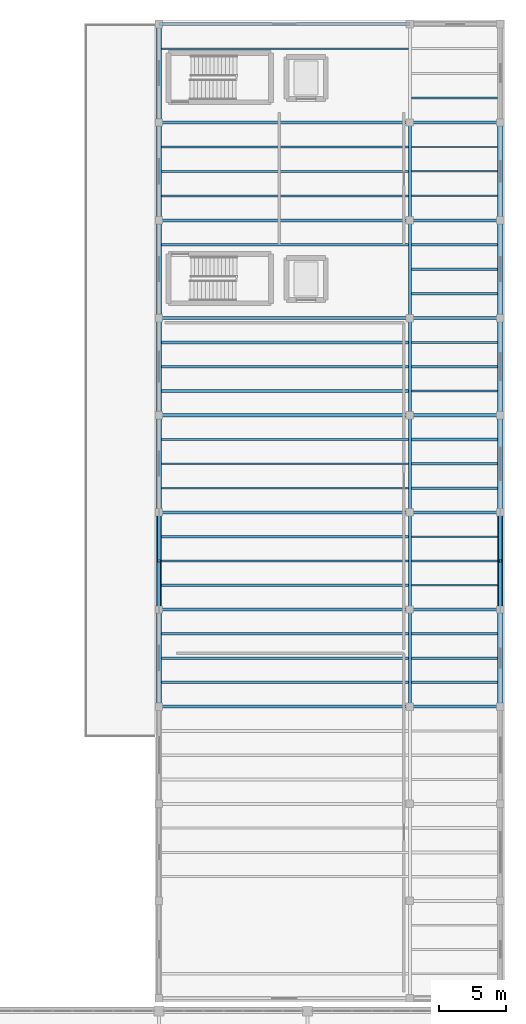
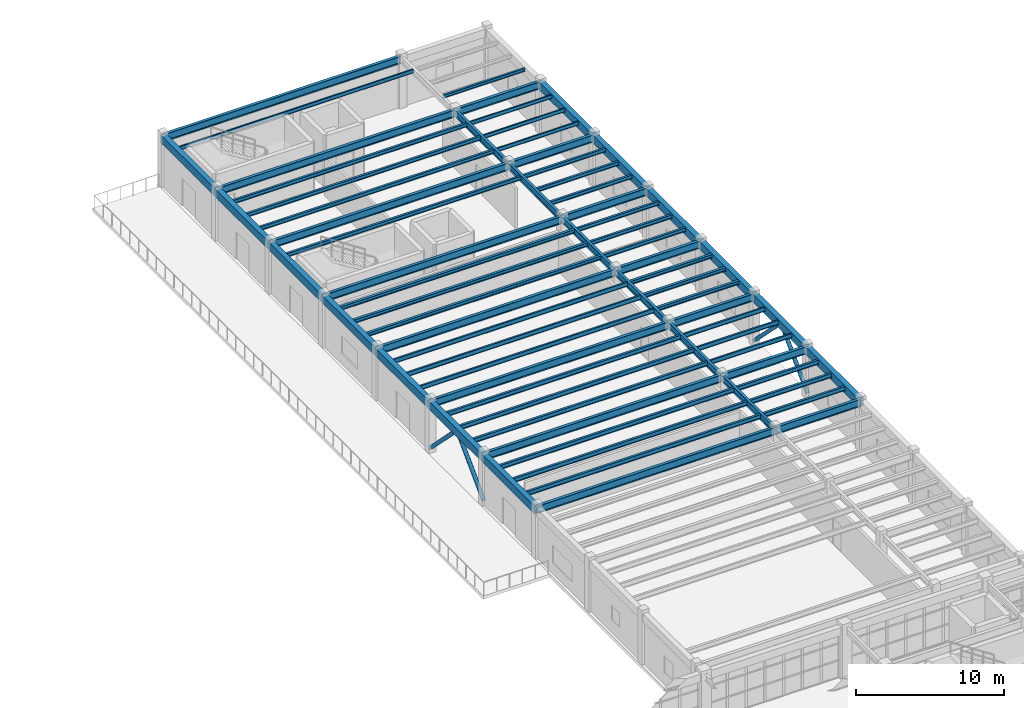
# One storey, part 47 of 85: 70 beams, 4 members.
"""IFC4 building model written with IfcOpenShell, lengths in metres."""

from ifc_helpers import new_model, si_unit, direction, frame, origin, origin_2d, place, context, subcontext, project, spatial, rectangle, hollow_circle, i_section, extrude, material, material_profile, profile_set, type_object, element, save


model = new_model("IFC4")

# Units and contexts
model_context = context("Model", 3, precision=1e-05, world=origin(), true_north=direction((0.0, 1.0)))
body_context = subcontext(model_context, "Body", "Model", "MODEL_VIEW")
ifc_project = project(units=[si_unit("LENGTHUNIT", "METRE"), si_unit("AREAUNIT", "SQUARE_METRE"), si_unit("VOLUMEUNIT", "CUBIC_METRE"), si_unit("PLANEANGLEUNIT", "RADIAN"), si_unit("MASSUNIT", "GRAM", prefix="KILO")], contexts=[model_context])

# Site, building, storey
site_placement = place(None, origin())
site = spatial("IfcSite", under=ifc_project, at=site_placement, CompositionType="ELEMENT")
building_placement = place(site_placement, origin())
building = spatial("IfcBuilding", under=site, at=building_placement, Name="Candilejo Ridge Gondola Terminal", CompositionType="ELEMENT")
storey_placement = place(building_placement, frame((0.0, 0.0, 4.5)))
storey = spatial("IfcBuildingStorey", under=building, at=storey_placement, Name="L01", CompositionType="ELEMENT", Elevation=4.5)

# Beams
ifc_material_1 = material(Name="Steel ASTM A992 Grade 50", Category="steel")
ifc_material_profile_1 = material_profile(ifc_material_1, i_section(OverallWidth=0.208984375, OverallDepth=0.532958984375, WebThickness=0.01025390625, FlangeThickness=0.015625, at=origin_2d()))
ifc_profile_set_1 = profile_set([ifc_material_profile_1], Name="Steel ASTM A992 Grade 50")
beam_type_1 = type_object("IfcBeamType", Name="STR-BM-W530X92", PredefinedType="BEAM", material=ifc_profile_set_1)
for number, where, z_axis, x_axis, name in (
    (1, (168.60009765625, 70.25, 3.948486328125), (0.0, 1.0, 0.0), (-1.0, 0.0, 0.0), "Beam Y V5 L01 Y13-Y14@X25"),
    (2, (168.60009765625, 77.449951171875, 3.948486328125), (0.0, 1.0, 0.0), (-1.0, 0.0, 0.0), "Beam Y V5 L01 Y14-Y15@X25"),
):
    element("IfcBeam", number, at=place(storey_placement, frame(where, z_axis=z_axis, x_axis=x_axis)), inside=storey, type_object=beam_type_1, Name=name, PredefinedType="BEAM", context=body_context, shape_type="SweptSolid", body=[
        extrude(i_section(OverallWidth=0.208984375, OverallDepth=0.532958984375, WebThickness=0.01025390625, FlangeThickness=0.015625, at=origin_2d()), origin(), (0.0, 0.0, 1.0), 7.199951171875),
    ])
beam_1_placement = place(storey_placement, frame((168.60009765625, 84.64990234375, 3.948486328125), z_axis=(0.0, 1.0, 0.0), x_axis=(-1.0, 0.0, 0.0)))
element("IfcBeam", 3, at=beam_1_placement, inside=storey, type_object=beam_type_1, Name="Beam Y V5 L01 Y15-Y16@X25", PredefinedType="BEAM", context=body_context, shape_type="SweptSolid", body=[
    extrude(i_section(OverallWidth=0.208984375, OverallDepth=0.532958984375, WebThickness=0.01025390625, FlangeThickness=0.015625, at=origin_2d()), origin(), (0.0, 0.0, 1.0), 7.2001953125),
])
beam_2_placement = place(storey_placement, frame((168.60009765625, 91.85009765625, 3.948486328125), z_axis=(0.0, 1.0, 0.0), x_axis=(-1.0, 0.0, 0.0)))
element("IfcBeam", 4, at=beam_2_placement, inside=storey, type_object=beam_type_1, Name="Beam Y V5 L01 Y16-Y17@X25", PredefinedType="BEAM", context=body_context, shape_type="SweptSolid", body=[
    extrude(i_section(OverallWidth=0.208984375, OverallDepth=0.532958984375, WebThickness=0.01025390625, FlangeThickness=0.015625, at=origin_2d()), origin(), (0.0, 0.0, 1.0), 7.199951171875),
])
for number, where, z_axis, x_axis, name in (
    (5, (168.60009765625, 99.050048828125, 3.948486328125), (0.0, 1.0, 0.0), (-1.0, 0.0, 0.0), "Beam Y V5 L01 Y17-Y18@X25"),
    (6, (168.60009765625, 106.300048828125, 3.948486328125), (0.0, 1.0, 0.0), (-1.0, 0.0, 0.0), "Beam Y V5 L01 Y18-Y19@X25"),
):
    element("IfcBeam", number, at=place(storey_placement, frame(where, z_axis=z_axis, x_axis=x_axis)), inside=storey, type_object=beam_type_1, Name=name, PredefinedType="BEAM", context=body_context, shape_type="SweptSolid", body=[
        extrude(i_section(OverallWidth=0.208984375, OverallDepth=0.532958984375, WebThickness=0.01025390625, FlangeThickness=0.015625, at=origin_2d()), origin(), (0.0, 0.0, 1.0), 7.25),
    ])
ifc_material_2 = material(Name="Steel ASTM A992 Grade 50", Category="steel")
ifc_material_profile_2 = material_profile(ifc_material_2, i_section(OverallWidth=0.22900390625, OverallDepth=0.612060546875, WebThickness=0.011962890625, FlangeThickness=0.01953125, at=origin_2d()))
ifc_profile_set_2 = profile_set([ifc_material_profile_2], Name="Steel ASTM A992 Grade 50")
beam_type_2 = type_object("IfcBeamType", Name="STR-BM-W610X125", PredefinedType="BEAM", material=ifc_profile_set_2)
beam_3_placement = place(storey_placement, frame((150.0, 70.25, 3.908935546875), z_axis=(1.0, 0.0, 0.0), x_axis=(0.0, 1.0, 0.0)))
element("IfcBeam", 7, at=beam_3_placement, inside=storey, type_object=beam_type_2, Name="Beam X V5 L01 X23-X25@Y13", PredefinedType="BEAM", context=body_context, shape_type="SweptSolid", body=[
    extrude(i_section(OverallWidth=0.22900390625, OverallDepth=0.612060546875, WebThickness=0.011962890625, FlangeThickness=0.01953125, at=origin_2d()), origin(), (0.0, 0.0, 1.0), 18.60009765625),
])
beam_4_placement = place(storey_placement, frame((168.60009765625, 70.25, 3.908935546875), z_axis=(1.0, 0.0, 0.0), x_axis=(0.0, 1.0, 0.0)))
element("IfcBeam", 8, at=beam_4_placement, inside=storey, type_object=beam_type_2, Name="Beam X V5 L01 X25-X27@Y13", PredefinedType="BEAM", context=body_context, shape_type="SweptSolid", body=[
    extrude(i_section(OverallWidth=0.22900390625, OverallDepth=0.612060546875, WebThickness=0.011962890625, FlangeThickness=0.01953125, at=origin_2d()), origin(), (0.0, 0.0, 1.0), 6.699951171875),
])
beam_5_placement = place(storey_placement, frame((150.0, 77.449951171875, 3.908935546875), z_axis=(1.0, 0.0, 0.0), x_axis=(0.0, 1.0, 0.0)))
element("IfcBeam", 9, at=beam_5_placement, inside=storey, type_object=beam_type_2, Name="Beam X V5 L01 X23-X25@Y14", PredefinedType="BEAM", context=body_context, shape_type="SweptSolid", body=[
    extrude(i_section(OverallWidth=0.22900390625, OverallDepth=0.612060546875, WebThickness=0.011962890625, FlangeThickness=0.01953125, at=origin_2d()), origin(), (0.0, 0.0, 1.0), 18.60009765625),
])
beam_6_placement = place(storey_placement, frame((168.60009765625, 77.449951171875, 3.908935546875), z_axis=(1.0, 0.0, 0.0), x_axis=(0.0, 1.0, 0.0)))
element("IfcBeam", 10, at=beam_6_placement, inside=storey, type_object=beam_type_2, Name="Beam X V5 L01 X25-X27@Y14", PredefinedType="BEAM", context=body_context, shape_type="SweptSolid", body=[
    extrude(i_section(OverallWidth=0.22900390625, OverallDepth=0.612060546875, WebThickness=0.011962890625, FlangeThickness=0.01953125, at=origin_2d()), origin(), (0.0, 0.0, 1.0), 6.699951171875),
])
beam_7_placement = place(storey_placement, frame((150.0, 84.64990234375, 3.908935546875), z_axis=(1.0, 0.0, 0.0), x_axis=(0.0, 1.0, 0.0)))
element("IfcBeam", 11, at=beam_7_placement, inside=storey, type_object=beam_type_2, Name="Beam X V5 L01 X23-X25@Y15", PredefinedType="BEAM", context=body_context, shape_type="SweptSolid", body=[
    extrude(i_section(OverallWidth=0.22900390625, OverallDepth=0.612060546875, WebThickness=0.011962890625, FlangeThickness=0.01953125, at=origin_2d()), origin(), (0.0, 0.0, 1.0), 18.60009765625),
])
beam_8_placement = place(storey_placement, frame((168.60009765625, 84.64990234375, 3.908935546875), z_axis=(1.0, 0.0, 0.0), x_axis=(0.0, 1.0, 0.0)))
element("IfcBeam", 12, at=beam_8_placement, inside=storey, type_object=beam_type_2, Name="Beam X V5 L01 X25-X27@Y15", PredefinedType="BEAM", context=body_context, shape_type="SweptSolid", body=[
    extrude(i_section(OverallWidth=0.22900390625, OverallDepth=0.612060546875, WebThickness=0.011962890625, FlangeThickness=0.01953125, at=origin_2d()), origin(), (0.0, 0.0, 1.0), 6.699951171875),
])
beam_9_placement = place(storey_placement, frame((150.0, 91.85009765625, 3.908935546875), z_axis=(1.0, 0.0, 0.0), x_axis=(0.0, 1.0, 0.0)))
element("IfcBeam", 13, at=beam_9_placement, inside=storey, type_object=beam_type_2, Name="Beam X V5 L01 X23-X25@Y16", PredefinedType="BEAM", context=body_context, shape_type="SweptSolid", body=[
    extrude(i_section(OverallWidth=0.22900390625, OverallDepth=0.612060546875, WebThickness=0.011962890625, FlangeThickness=0.01953125, at=origin_2d()), origin(), (0.0, 0.0, 1.0), 18.60009765625),
])
beam_10_placement = place(storey_placement, frame((168.60009765625, 91.85009765625, 3.908935546875), z_axis=(1.0, 0.0, 0.0), x_axis=(0.0, 1.0, 0.0)))
element("IfcBeam", 14, at=beam_10_placement, inside=storey, type_object=beam_type_2, Name="Beam X V5 L01 X25-X27@Y16", PredefinedType="BEAM", context=body_context, shape_type="SweptSolid", body=[
    extrude(i_section(OverallWidth=0.22900390625, OverallDepth=0.612060546875, WebThickness=0.011962890625, FlangeThickness=0.01953125, at=origin_2d()), origin(), (0.0, 0.0, 1.0), 6.699951171875),
])
beam_11_placement = place(storey_placement, frame((150.0, 99.050048828125, 3.908935546875), z_axis=(1.0, 0.0, 0.0), x_axis=(0.0, 1.0, 0.0)))
element("IfcBeam", 15, at=beam_11_placement, inside=storey, type_object=beam_type_2, Name="Beam X V5 L01 X23-X25@Y17", PredefinedType="BEAM", context=body_context, shape_type="SweptSolid", body=[
    extrude(i_section(OverallWidth=0.22900390625, OverallDepth=0.612060546875, WebThickness=0.011962890625, FlangeThickness=0.01953125, at=origin_2d()), origin(), (0.0, 0.0, 1.0), 18.60009765625),
])
beam_12_placement = place(storey_placement, frame((168.60009765625, 99.050048828125, 3.908935546875), z_axis=(1.0, 0.0, 0.0), x_axis=(0.0, 1.0, 0.0)))
element("IfcBeam", 16, at=beam_12_placement, inside=storey, type_object=beam_type_2, Name="Beam X V5 L01 X25-X27@Y17", PredefinedType="BEAM", context=body_context, shape_type="SweptSolid", body=[
    extrude(i_section(OverallWidth=0.22900390625, OverallDepth=0.612060546875, WebThickness=0.011962890625, FlangeThickness=0.01953125, at=origin_2d()), origin(), (0.0, 0.0, 1.0), 6.699951171875),
])
beam_13_placement = place(storey_placement, frame((150.0, 106.300048828125, 3.908935546875), z_axis=(1.0, 0.0, 0.0), x_axis=(0.0, 1.0, 0.0)))
element("IfcBeam", 17, at=beam_13_placement, inside=storey, type_object=beam_type_2, Name="Beam X V5 L01 X23-X25@Y18", PredefinedType="BEAM", context=body_context, shape_type="SweptSolid", body=[
    extrude(i_section(OverallWidth=0.22900390625, OverallDepth=0.612060546875, WebThickness=0.011962890625, FlangeThickness=0.01953125, at=origin_2d()), origin(), (0.0, 0.0, 1.0), 18.60009765625),
])
beam_14_placement = place(storey_placement, frame((168.60009765625, 106.300048828125, 3.908935546875), z_axis=(1.0, 0.0, 0.0), x_axis=(0.0, 1.0, 0.0)))
element("IfcBeam", 18, at=beam_14_placement, inside=storey, type_object=beam_type_2, Name="Beam X V5 L01 X25-X27@Y18", PredefinedType="BEAM", context=body_context, shape_type="SweptSolid", body=[
    extrude(i_section(OverallWidth=0.22900390625, OverallDepth=0.612060546875, WebThickness=0.011962890625, FlangeThickness=0.01953125, at=origin_2d()), origin(), (0.0, 0.0, 1.0), 6.699951171875),
])
beam_15_placement = place(storey_placement, frame((150.0, 113.550048828125, 3.908935546875), z_axis=(1.0, 0.0, 0.0), x_axis=(0.0, 1.0, 0.0)))
element("IfcBeam", 19, at=beam_15_placement, inside=storey, type_object=beam_type_2, Name="Beam X V5 L01 X23-X25@Y19", PredefinedType="BEAM", context=body_context, shape_type="SweptSolid", body=[
    extrude(i_section(OverallWidth=0.22900390625, OverallDepth=0.612060546875, WebThickness=0.011962890625, FlangeThickness=0.01953125, at=origin_2d()), origin(), (0.0, 0.0, 1.0), 18.60009765625),
])
beam_16_placement = place(storey_placement, frame((168.60009765625, 113.550048828125, 3.908935546875), z_axis=(1.0, 0.0, 0.0), x_axis=(0.0, 1.0, 0.0)))
element("IfcBeam", 20, at=beam_16_placement, inside=storey, type_object=beam_type_2, Name="Beam X V5 L01 X25-X27@Y19", PredefinedType="BEAM", context=body_context, shape_type="SweptSolid", body=[
    extrude(i_section(OverallWidth=0.22900390625, OverallDepth=0.612060546875, WebThickness=0.011962890625, FlangeThickness=0.01953125, at=origin_2d()), origin(), (0.0, 0.0, 1.0), 6.699951171875),
])
beam_17_placement = place(storey_placement, frame((150.0, 120.85009765625, 3.908935546875), z_axis=(1.0, 0.0, 0.0), x_axis=(0.0, 1.0, 0.0)))
element("IfcBeam", 21, at=beam_17_placement, inside=storey, type_object=beam_type_2, Name="Beam X V5 L01 X23-X25@Y20", PredefinedType="BEAM", context=body_context, shape_type="SweptSolid", body=[
    extrude(i_section(OverallWidth=0.22900390625, OverallDepth=0.612060546875, WebThickness=0.011962890625, FlangeThickness=0.01953125, at=origin_2d()), origin(), (0.0, 0.0, 1.0), 18.60009765625),
])

# Members
ifc_material_3 = material(Name="Steel ASTM A500 Grade C", Category="steel")
ifc_material_profile_3 = material_profile(ifc_material_3, hollow_circle(Radius=0.149169921875, WallThickness=0.009521484375, at=origin_2d()))
ifc_profile_set_3 = profile_set([ifc_material_profile_3], Name="Steel ASTM A500 Grade C")
member_type = type_object("IfcMemberType", Name="STR-BRC-CHS298", PredefinedType="BRACE", material=ifc_profile_set_3)
member_1_placement = place(storey_placement, frame((150.0, 77.449951171875, 0.25), z_axis=(0.0, 0.703209515345, 0.710982684408), x_axis=(-1.0, 0.0, 0.0)))
element("IfcMember", 22, at=member_1_placement, inside=storey, type_object=member_type, Name="Chevron brace V5 L01-07A", PredefinedType="BRACE", context=body_context, shape_type="SweptSolid", body=[
    extrude(hollow_circle(Radius=0.149169921875, WallThickness=0.009521484375, at=origin_2d()), origin(), (0.0, 0.0, 1.0), 5.11962890625),
])
member_2_placement = place(storey_placement, frame((150.0, 84.64990234375, 0.25), z_axis=(0.0, -0.703185407944, 0.711006527435), x_axis=(1.0, 0.0, 0.0)))
element("IfcMember", 23, at=member_2_placement, inside=storey, type_object=member_type, Name="Chevron brace V5 L01-07B", PredefinedType="BRACE", context=body_context, shape_type="SweptSolid", body=[
    extrude(hollow_circle(Radius=0.149169921875, WallThickness=0.009521484375, at=origin_2d()), origin(), (0.0, 0.0, 1.0), 5.119384765625),
])
member_3_placement = place(storey_placement, frame((175.300048828125, 77.449951171875, 0.25), z_axis=(0.0, 0.703209515345, 0.710982684408), x_axis=(-1.0, 0.0, 0.0)))
element("IfcMember", 24, at=member_3_placement, inside=storey, type_object=member_type, Name="Chevron brace V5 L01-10A", PredefinedType="BRACE", context=body_context, shape_type="SweptSolid", body=[
    extrude(hollow_circle(Radius=0.149169921875, WallThickness=0.009521484375, at=origin_2d()), origin(), (0.0, 0.0, 1.0), 5.11962890625),
])
member_4_placement = place(storey_placement, frame((175.300048828125, 84.64990234375, 0.25), z_axis=(0.0, -0.703185407944, 0.711006527435), x_axis=(1.0, 0.0, 0.0)))
element("IfcMember", 25, at=member_4_placement, inside=storey, type_object=member_type, Name="Chevron brace V5 L01-10B", PredefinedType="BRACE", context=body_context, shape_type="SweptSolid", body=[
    extrude(hollow_circle(Radius=0.149169921875, WallThickness=0.009521484375, at=origin_2d()), origin(), (0.0, 0.0, 1.0), 5.119384765625),
])

# Beams
ifc_material_4 = material(Name="Steel ASTM A992 Grade 50", Category="steel")
ifc_material_profile_4 = material_profile(ifc_material_4, i_section(OverallWidth=0.14794921875, OverallDepth=0.26611328125, WebThickness=0.007568359375, FlangeThickness=0.012939453125, at=origin_2d()))
ifc_profile_set_4 = profile_set([ifc_material_profile_4], Name="Steel ASTM A992 Grade 50")
beam_type_3 = type_object("IfcBeamType", Name="STR-JST-W250X45", PredefinedType="JOIST", material=ifc_profile_set_4)
beam_18_placement = place(storey_placement, frame((168.70458984375, 115.375, 4.08203125), z_axis=(1.0, 0.0, 0.0), x_axis=(0.0, 1.0, 0.0)))
element("IfcBeam", 26, at=beam_18_placement, inside=storey, type_object=beam_type_3, Name="Composite joist V5 L01-1251", PredefinedType="JOIST", context=body_context, shape_type="SweptSolid", body=[
    extrude(i_section(OverallWidth=0.14794921875, OverallDepth=0.26611328125, WebThickness=0.007568359375, FlangeThickness=0.012939453125, at=origin_2d()), origin(), (0.0, 0.0, 1.0), 6.3955078125),
])
ifc_material_5 = material(Name="Steel ASTM A992 Grade 50", Category="steel")
ifc_material_profile_5 = material_profile(ifc_material_5, i_section(OverallWidth=0.10205078125, OverallDepth=0.31298828125, WebThickness=0.006591796875, FlangeThickness=0.0107421875, at=origin_2d()))
ifc_profile_set_5 = profile_set([ifc_material_profile_5], Name="Steel ASTM A992 Grade 50")
beam_type_4 = type_object("IfcBeamType", Name="STR-JST-W310X33", PredefinedType="JOIST", material=ifc_profile_set_5)
beam_19_placement = place(storey_placement, frame((150.199951171875, 119.02490234375, 4.05859375), z_axis=(1.0, 0.0, 0.0), x_axis=(0.0, 1.0, 0.0)))
element("IfcBeam", 27, at=beam_19_placement, inside=storey, type_object=beam_type_4, Name="Composite joist V5 L01-1223", PredefinedType="JOIST", context=body_context, shape_type="SweptSolid", body=[
    extrude(i_section(OverallWidth=0.10205078125, OverallDepth=0.31298828125, WebThickness=0.006591796875, FlangeThickness=0.0107421875, at=origin_2d()), origin(), (0.0, 0.0, 1.0), 18.295654296875),
])
for number, where, z_axis, x_axis, name in (
    (28, (168.70458984375, 108.112548828125, 4.05859375), (1.0, 0.0, 0.0), (0.0, 1.0, 0.0), "Composite joist V5 L01-1248"),
    (29, (168.70458984375, 109.925048828125, 4.05859375), (1.0, 0.0, 0.0), (0.0, 1.0, 0.0), "Composite joist V5 L01-1249"),
    (30, (168.70458984375, 111.737548828125, 4.05859375), (1.0, 0.0, 0.0), (0.0, 1.0, 0.0), "Composite joist V5 L01-1250"),
):
    element("IfcBeam", number, at=place(storey_placement, frame(where, z_axis=z_axis, x_axis=x_axis)), inside=storey, type_object=beam_type_4, Name=name, PredefinedType="JOIST", context=body_context, shape_type="SweptSolid", body=[
        extrude(i_section(OverallWidth=0.10205078125, OverallDepth=0.31298828125, WebThickness=0.006591796875, FlangeThickness=0.0107421875, at=origin_2d()), origin(), (0.0, 0.0, 1.0), 6.3955078125),
    ])
ifc_material_6 = material(Name="Steel ASTM A992 Grade 50", Category="steel")
ifc_material_profile_6 = material_profile(ifc_material_6, i_section(OverallWidth=0.1650390625, OverallDepth=0.31005859375, WebThickness=0.005859375, FlangeThickness=0.009765625, at=origin_2d()))
ifc_profile_set_6 = profile_set([ifc_material_profile_6], Name="Steel ASTM A992 Grade 50")
beam_type_5 = type_object("IfcBeamType", Name="STR-JST-W310X39", PredefinedType="JOIST", material=ifc_profile_set_6)
for number, where, z_axis, x_axis, name in (
    (31, (150.199951171875, 108.112548828125, 4.06005859375), (1.0, 0.0, 0.0), (0.0, 1.0, 0.0), "Composite joist V5 L01-1220"),
    (32, (150.199951171875, 109.925048828125, 4.06005859375), (1.0, 0.0, 0.0), (0.0, 1.0, 0.0), "Composite joist V5 L01-1221"),
    (33, (150.199951171875, 111.737548828125, 4.06005859375), (1.0, 0.0, 0.0), (0.0, 1.0, 0.0), "Composite joist V5 L01-1222"),
):
    element("IfcBeam", number, at=place(storey_placement, frame(where, z_axis=z_axis, x_axis=x_axis)), inside=storey, type_object=beam_type_5, Name=name, PredefinedType="JOIST", context=body_context, shape_type="SweptSolid", body=[
        extrude(i_section(OverallWidth=0.1650390625, OverallDepth=0.31005859375, WebThickness=0.005859375, FlangeThickness=0.009765625, at=origin_2d()), origin(), (0.0, 0.0, 1.0), 18.295654296875),
    ])
for number, where, z_axis, x_axis, name in (
    (34, (168.70458984375, 100.862548828125, 4.06005859375), (1.0, 0.0, 0.0), (0.0, 1.0, 0.0), "Composite joist V5 L01-1245"),
    (35, (168.70458984375, 102.675048828125, 4.06005859375), (1.0, 0.0, 0.0), (0.0, 1.0, 0.0), "Composite joist V5 L01-1246"),
    (36, (168.70458984375, 104.487548828125, 4.06005859375), (1.0, 0.0, 0.0), (0.0, 1.0, 0.0), "Composite joist V5 L01-1247"),
):
    element("IfcBeam", number, at=place(storey_placement, frame(where, z_axis=z_axis, x_axis=x_axis)), inside=storey, type_object=beam_type_5, Name=name, PredefinedType="JOIST", context=body_context, shape_type="SweptSolid", body=[
        extrude(i_section(OverallWidth=0.1650390625, OverallDepth=0.31005859375, WebThickness=0.005859375, FlangeThickness=0.009765625, at=origin_2d()), origin(), (0.0, 0.0, 1.0), 6.3955078125),
    ])
ifc_material_7 = material(Name="Steel ASTM A992 Grade 50", Category="steel")
ifc_material_profile_7 = material_profile(ifc_material_7, i_section(OverallWidth=0.166015625, OverallDepth=0.31298828125, WebThickness=0.006591796875, FlangeThickness=0.01123046875, at=origin_2d()))
ifc_profile_set_7 = profile_set([ifc_material_profile_7], Name="Steel ASTM A992 Grade 50")
beam_type_6 = type_object("IfcBeamType", Name="STR-JST-W310X44", PredefinedType="JOIST", material=ifc_profile_set_7)
beam_20_placement = place(storey_placement, frame((150.199951171875, 104.487548828125, 4.05859375), z_axis=(1.0, 0.0, 0.0), x_axis=(0.0, 1.0, 0.0)))
element("IfcBeam", 37, at=beam_20_placement, inside=storey, type_object=beam_type_6, Name="Composite joist V5 L01-1219", PredefinedType="JOIST", context=body_context, shape_type="SweptSolid", body=[
    extrude(i_section(OverallWidth=0.166015625, OverallDepth=0.31298828125, WebThickness=0.006591796875, FlangeThickness=0.01123046875, at=origin_2d()), origin(), (0.0, 0.0, 1.0), 18.295654296875),
])
for number, where, z_axis, x_axis, name in (
    (38, (168.70458984375, 93.64990234375, 4.05859375), (1.0, 0.0, 0.0), (0.0, 1.0, 0.0), "Composite joist V5 L01-1242"),
    (39, (168.70458984375, 95.449951171875, 4.05859375), (1.0, 0.0, 0.0), (0.0, 1.0, 0.0), "Composite joist V5 L01-1243"),
    (40, (168.70458984375, 97.25, 4.05859375), (1.0, 0.0, 0.0), (0.0, 1.0, 0.0), "Composite joist V5 L01-1244"),
):
    element("IfcBeam", number, at=place(storey_placement, frame(where, z_axis=z_axis, x_axis=x_axis)), inside=storey, type_object=beam_type_6, Name=name, PredefinedType="JOIST", context=body_context, shape_type="SweptSolid", body=[
        extrude(i_section(OverallWidth=0.166015625, OverallDepth=0.31298828125, WebThickness=0.006591796875, FlangeThickness=0.01123046875, at=origin_2d()), origin(), (0.0, 0.0, 1.0), 6.3955078125),
    ])
ifc_material_8 = material(Name="Steel ASTM A992 Grade 50", Category="steel")
ifc_material_profile_8 = material_profile(ifc_material_8, i_section(OverallWidth=0.202880859375, OverallDepth=0.302978515625, WebThickness=0.007568359375, FlangeThickness=0.01318359375, at=origin_2d()))
ifc_profile_set_8 = profile_set([ifc_material_profile_8], Name="Steel ASTM A992 Grade 50")
beam_type_7 = type_object("IfcBeamType", Name="STR-JST-W310X60", PredefinedType="JOIST", material=ifc_profile_set_8)
for number, where, z_axis, x_axis, name in (
    (41, (150.199951171875, 93.64990234375, 4.0634765625), (1.0, 0.0, 0.0), (0.0, 1.0, 0.0), "Composite joist V5 L01-1216"),
    (42, (150.199951171875, 95.449951171875, 4.0634765625), (1.0, 0.0, 0.0), (0.0, 1.0, 0.0), "Composite joist V5 L01-1217"),
    (43, (150.199951171875, 97.25, 4.0634765625), (1.0, 0.0, 0.0), (0.0, 1.0, 0.0), "Composite joist V5 L01-1218"),
):
    element("IfcBeam", number, at=place(storey_placement, frame(where, z_axis=z_axis, x_axis=x_axis)), inside=storey, type_object=beam_type_7, Name=name, PredefinedType="JOIST", context=body_context, shape_type="SweptSolid", body=[
        extrude(i_section(OverallWidth=0.202880859375, OverallDepth=0.302978515625, WebThickness=0.007568359375, FlangeThickness=0.01318359375, at=origin_2d()), origin(), (0.0, 0.0, 1.0), 18.295654296875),
    ])
for number, where, z_axis, x_axis, name in (
    (44, (168.70458984375, 86.449951171875, 4.0634765625), (1.0, 0.0, 0.0), (0.0, 1.0, 0.0), "Composite joist V5 L01-1239"),
    (45, (168.70458984375, 88.25, 4.0634765625), (1.0, 0.0, 0.0), (0.0, 1.0, 0.0), "Composite joist V5 L01-1240"),
    (46, (168.70458984375, 90.050048828125, 4.0634765625), (1.0, 0.0, 0.0), (0.0, 1.0, 0.0), "Composite joist V5 L01-1241"),
):
    element("IfcBeam", number, at=place(storey_placement, frame(where, z_axis=z_axis, x_axis=x_axis)), inside=storey, type_object=beam_type_7, Name=name, PredefinedType="JOIST", context=body_context, shape_type="SweptSolid", body=[
        extrude(i_section(OverallWidth=0.202880859375, OverallDepth=0.302978515625, WebThickness=0.007568359375, FlangeThickness=0.01318359375, at=origin_2d()), origin(), (0.0, 0.0, 1.0), 6.3955078125),
    ])
ifc_material_9 = material(Name="Steel ASTM A992 Grade 50", Category="steel")
ifc_material_profile_9 = material_profile(ifc_material_9, i_section(OverallWidth=0.1279296875, OverallDepth=0.35302734375, WebThickness=0.006591796875, FlangeThickness=0.0107421875, at=origin_2d()))
ifc_profile_set_9 = profile_set([ifc_material_profile_9], Name="Steel ASTM A992 Grade 50")
beam_type_8 = type_object("IfcBeamType", Name="STR-JST-W360X39", PredefinedType="JOIST", material=ifc_profile_set_9)
for number, where, z_axis, x_axis, name in (
    (47, (150.199951171875, 86.449951171875, 4.03857421875), (1.0, 0.0, 0.0), (0.0, 1.0, 0.0), "Composite joist V5 L01-1213"),
    (48, (150.199951171875, 88.25, 4.03857421875), (1.0, 0.0, 0.0), (0.0, 1.0, 0.0), "Composite joist V5 L01-1214"),
    (49, (150.199951171875, 90.050048828125, 4.03857421875), (1.0, 0.0, 0.0), (0.0, 1.0, 0.0), "Composite joist V5 L01-1215"),
):
    element("IfcBeam", number, at=place(storey_placement, frame(where, z_axis=z_axis, x_axis=x_axis)), inside=storey, type_object=beam_type_8, Name=name, PredefinedType="JOIST", context=body_context, shape_type="SweptSolid", body=[
        extrude(i_section(OverallWidth=0.1279296875, OverallDepth=0.35302734375, WebThickness=0.006591796875, FlangeThickness=0.0107421875, at=origin_2d()), origin(), (0.0, 0.0, 1.0), 18.295654296875),
    ])
for number, where, z_axis, x_axis, name in (
    (50, (168.70458984375, 79.25, 4.03857421875), (1.0, 0.0, 0.0), (0.0, 1.0, 0.0), "Composite joist V5 L01-1236"),
    (51, (168.70458984375, 81.050048828125, 4.03857421875), (1.0, 0.0, 0.0), (0.0, 1.0, 0.0), "Composite joist V5 L01-1237"),
    (52, (168.70458984375, 82.85009765625, 4.03857421875), (1.0, 0.0, 0.0), (0.0, 1.0, 0.0), "Composite joist V5 L01-1238"),
):
    element("IfcBeam", number, at=place(storey_placement, frame(where, z_axis=z_axis, x_axis=x_axis)), inside=storey, type_object=beam_type_8, Name=name, PredefinedType="JOIST", context=body_context, shape_type="SweptSolid", body=[
        extrude(i_section(OverallWidth=0.1279296875, OverallDepth=0.35302734375, WebThickness=0.006591796875, FlangeThickness=0.0107421875, at=origin_2d()), origin(), (0.0, 0.0, 1.0), 6.3955078125),
    ])
ifc_material_10 = material(Name="Steel ASTM A992 Grade 50", Category="steel")
ifc_material_profile_10 = material_profile(ifc_material_10, i_section(OverallWidth=0.1708984375, OverallDepth=0.35205078125, WebThickness=0.0068359375, FlangeThickness=0.009765625, at=origin_2d()))
ifc_profile_set_10 = profile_set([ifc_material_profile_10], Name="Steel ASTM A992 Grade 50")
beam_type_9 = type_object("IfcBeamType", Name="STR-JST-W360X44", PredefinedType="JOIST", material=ifc_profile_set_10)
for number, where, z_axis, x_axis, name in (
    (53, (150.199951171875, 79.25, 4.0390625), (1.0, 0.0, 0.0), (0.0, 1.0, 0.0), "Composite joist V5 L01-1210"),
    (54, (150.199951171875, 81.050048828125, 4.0390625), (1.0, 0.0, 0.0), (0.0, 1.0, 0.0), "Composite joist V5 L01-1211"),
    (55, (150.199951171875, 82.85009765625, 4.0390625), (1.0, 0.0, 0.0), (0.0, 1.0, 0.0), "Composite joist V5 L01-1212"),
):
    element("IfcBeam", number, at=place(storey_placement, frame(where, z_axis=z_axis, x_axis=x_axis)), inside=storey, type_object=beam_type_9, Name=name, PredefinedType="JOIST", context=body_context, shape_type="SweptSolid", body=[
        extrude(i_section(OverallWidth=0.1708984375, OverallDepth=0.35205078125, WebThickness=0.0068359375, FlangeThickness=0.009765625, at=origin_2d()), origin(), (0.0, 0.0, 1.0), 18.295654296875),
    ])
for number, where, z_axis, x_axis, name in (
    (56, (168.70458984375, 72.050048828125, 4.0390625), (1.0, 0.0, 0.0), (0.0, 1.0, 0.0), "Composite joist V5 L01-1233"),
    (57, (168.70458984375, 73.85009765625, 4.0390625), (1.0, 0.0, 0.0), (0.0, 1.0, 0.0), "Composite joist V5 L01-1234"),
    (58, (168.70458984375, 75.64990234375, 4.0390625), (1.0, 0.0, 0.0), (0.0, 1.0, 0.0), "Composite joist V5 L01-1235"),
):
    element("IfcBeam", number, at=place(storey_placement, frame(where, z_axis=z_axis, x_axis=x_axis)), inside=storey, type_object=beam_type_9, Name=name, PredefinedType="JOIST", context=body_context, shape_type="SweptSolid", body=[
        extrude(i_section(OverallWidth=0.1708984375, OverallDepth=0.35205078125, WebThickness=0.0068359375, FlangeThickness=0.009765625, at=origin_2d()), origin(), (0.0, 0.0, 1.0), 6.3955078125),
    ])
ifc_material_11 = material(Name="Steel ASTM A992 Grade 50", Category="steel")
ifc_material_profile_11 = material_profile(ifc_material_11, i_section(OverallWidth=0.1708984375, OverallDepth=0.35498046875, WebThickness=0.007080078125, FlangeThickness=0.01171875, at=origin_2d()))
ifc_profile_set_11 = profile_set([ifc_material_profile_11], Name="Steel ASTM A992 Grade 50")
beam_type_10 = type_object("IfcBeamType", Name="STR-JST-W360X51", PredefinedType="JOIST", material=ifc_profile_set_11)
for number, where, z_axis, x_axis, name in (
    (59, (150.199951171875, 72.050048828125, 4.03759765625), (1.0, 0.0, 0.0), (0.0, 1.0, 0.0), "Composite joist V5 L01-1207"),
    (60, (150.199951171875, 73.85009765625, 4.03759765625), (1.0, 0.0, 0.0), (0.0, 1.0, 0.0), "Composite joist V5 L01-1208"),
    (61, (150.199951171875, 75.64990234375, 4.03759765625), (1.0, 0.0, 0.0), (0.0, 1.0, 0.0), "Composite joist V5 L01-1209"),
):
    element("IfcBeam", number, at=place(storey_placement, frame(where, z_axis=z_axis, x_axis=x_axis)), inside=storey, type_object=beam_type_10, Name=name, PredefinedType="JOIST", context=body_context, shape_type="SweptSolid", body=[
        extrude(i_section(OverallWidth=0.1708984375, OverallDepth=0.35498046875, WebThickness=0.007080078125, FlangeThickness=0.01171875, at=origin_2d()), origin(), (0.0, 0.0, 1.0), 18.295654296875),
    ])
ifc_material_12 = material(Name="Concrete f'c 35 MPa (C35/45)", Category="concrete")
ifc_material_profile_12 = material_profile(ifc_material_12, rectangle(XDim=0.39990234375, YDim=0.64990234375, at=origin_2d()))
ifc_profile_set_12 = profile_set([ifc_material_profile_12], Name="Concrete f'c 35 MPa (C35/45)")
beam_type_11 = type_object("IfcBeamType", Name="STR-SPN-RC400X650", PredefinedType="SPANDREL", material=ifc_profile_set_12)
for number, where, z_axis, x_axis, name in (
    (62, (150.0, 70.25, 3.889892578125), (0.0, 1.0, 0.0), (-1.0, 0.0, 0.0), "Beam Y V5 L01 Y13-Y14@X23"),
    (63, (150.0, 77.449951171875, 3.889892578125), (0.0, 1.0, 0.0), (-1.0, 0.0, 0.0), "Beam Y V5 L01 Y14-Y15@X23"),
):
    element("IfcBeam", number, at=place(storey_placement, frame(where, z_axis=z_axis, x_axis=x_axis)), inside=storey, type_object=beam_type_11, Name=name, PredefinedType="SPANDREL", context=body_context, shape_type="SweptSolid", body=[
        extrude(rectangle(XDim=0.39990234375, YDim=0.64990234375, at=origin_2d()), origin(), (0.0, 0.0, 1.0), 7.199951171875),
    ])
beam_21_placement = place(storey_placement, frame((150.0, 84.64990234375, 3.889892578125), z_axis=(0.0, 1.0, 0.0), x_axis=(-1.0, 0.0, 0.0)))
element("IfcBeam", 64, at=beam_21_placement, inside=storey, type_object=beam_type_11, Name="Beam Y V5 L01 Y15-Y16@X23", PredefinedType="SPANDREL", context=body_context, shape_type="SweptSolid", body=[
    extrude(rectangle(XDim=0.39990234375, YDim=0.64990234375, at=origin_2d()), origin(), (0.0, 0.0, 1.0), 7.2001953125),
])
beam_22_placement = place(storey_placement, frame((150.0, 91.85009765625, 3.889892578125), z_axis=(0.0, 1.0, 0.0), x_axis=(-1.0, 0.0, 0.0)))
element("IfcBeam", 65, at=beam_22_placement, inside=storey, type_object=beam_type_11, Name="Beam Y V5 L01 Y16-Y17@X23", PredefinedType="SPANDREL", context=body_context, shape_type="SweptSolid", body=[
    extrude(rectangle(XDim=0.39990234375, YDim=0.64990234375, at=origin_2d()), origin(), (0.0, 0.0, 1.0), 7.199951171875),
])
for number, where, z_axis, x_axis, name in (
    (66, (150.0, 99.050048828125, 3.889892578125), (0.0, 1.0, 0.0), (-1.0, 0.0, 0.0), "Beam Y V5 L01 Y17-Y18@X23"),
    (67, (150.0, 106.300048828125, 3.889892578125), (0.0, 1.0, 0.0), (-1.0, 0.0, 0.0), "Beam Y V5 L01 Y18-Y19@X23"),
):
    element("IfcBeam", number, at=place(storey_placement, frame(where, z_axis=z_axis, x_axis=x_axis)), inside=storey, type_object=beam_type_11, Name=name, PredefinedType="SPANDREL", context=body_context, shape_type="SweptSolid", body=[
        extrude(rectangle(XDim=0.39990234375, YDim=0.64990234375, at=origin_2d()), origin(), (0.0, 0.0, 1.0), 7.25),
    ])
beam_23_placement = place(storey_placement, frame((150.0, 113.550048828125, 3.889892578125), z_axis=(0.0, 1.0, 0.0), x_axis=(-1.0, 0.0, 0.0)))
element("IfcBeam", 68, at=beam_23_placement, inside=storey, type_object=beam_type_11, Name="Beam Y V5 L01 Y19-Y20@X23", PredefinedType="SPANDREL", context=body_context, shape_type="SweptSolid", body=[
    extrude(rectangle(XDim=0.39990234375, YDim=0.64990234375, at=origin_2d()), origin(), (0.0, 0.0, 1.0), 7.300048828125),
])
for number, where, z_axis, x_axis, name in (
    (69, (175.300048828125, 70.25, 3.889892578125), (0.0, 1.0, 0.0), (-1.0, 0.0, 0.0), "Beam Y V5 L01 Y13-Y14@X27"),
    (70, (175.300048828125, 77.449951171875, 3.889892578125), (0.0, 1.0, 0.0), (-1.0, 0.0, 0.0), "Beam Y V5 L01 Y14-Y15@X27"),
):
    element("IfcBeam", number, at=place(storey_placement, frame(where, z_axis=z_axis, x_axis=x_axis)), inside=storey, type_object=beam_type_11, Name=name, PredefinedType="SPANDREL", context=body_context, shape_type="SweptSolid", body=[
        extrude(rectangle(XDim=0.39990234375, YDim=0.64990234375, at=origin_2d()), origin(), (0.0, 0.0, 1.0), 7.199951171875),
    ])
beam_24_placement = place(storey_placement, frame((175.300048828125, 84.64990234375, 3.889892578125), z_axis=(0.0, 1.0, 0.0), x_axis=(-1.0, 0.0, 0.0)))
element("IfcBeam", 71, at=beam_24_placement, inside=storey, type_object=beam_type_11, Name="Beam Y V5 L01 Y15-Y16@X27", PredefinedType="SPANDREL", context=body_context, shape_type="SweptSolid", body=[
    extrude(rectangle(XDim=0.39990234375, YDim=0.64990234375, at=origin_2d()), origin(), (0.0, 0.0, 1.0), 7.2001953125),
])
beam_25_placement = place(storey_placement, frame((175.300048828125, 91.85009765625, 3.889892578125), z_axis=(0.0, 1.0, 0.0), x_axis=(-1.0, 0.0, 0.0)))
element("IfcBeam", 72, at=beam_25_placement, inside=storey, type_object=beam_type_11, Name="Beam Y V5 L01 Y16-Y17@X27", PredefinedType="SPANDREL", context=body_context, shape_type="SweptSolid", body=[
    extrude(rectangle(XDim=0.39990234375, YDim=0.64990234375, at=origin_2d()), origin(), (0.0, 0.0, 1.0), 7.199951171875),
])
for number, where, z_axis, x_axis, name in (
    (73, (175.300048828125, 99.050048828125, 3.889892578125), (0.0, 1.0, 0.0), (-1.0, 0.0, 0.0), "Beam Y V5 L01 Y17-Y18@X27"),
    (74, (175.300048828125, 106.300048828125, 3.889892578125), (0.0, 1.0, 0.0), (-1.0, 0.0, 0.0), "Beam Y V5 L01 Y18-Y19@X27"),
):
    element("IfcBeam", number, at=place(storey_placement, frame(where, z_axis=z_axis, x_axis=x_axis)), inside=storey, type_object=beam_type_11, Name=name, PredefinedType="SPANDREL", context=body_context, shape_type="SweptSolid", body=[
        extrude(rectangle(XDim=0.39990234375, YDim=0.64990234375, at=origin_2d()), origin(), (0.0, 0.0, 1.0), 7.25),
    ])

save(model, "model.ifc")
